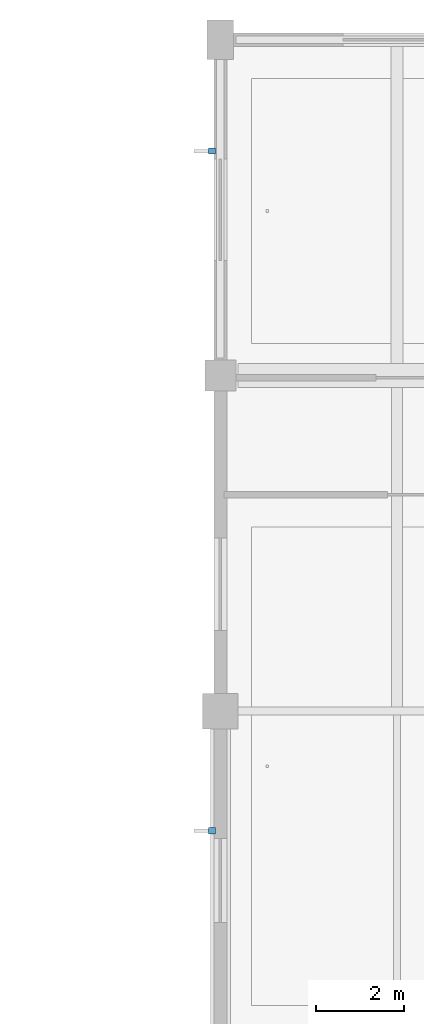
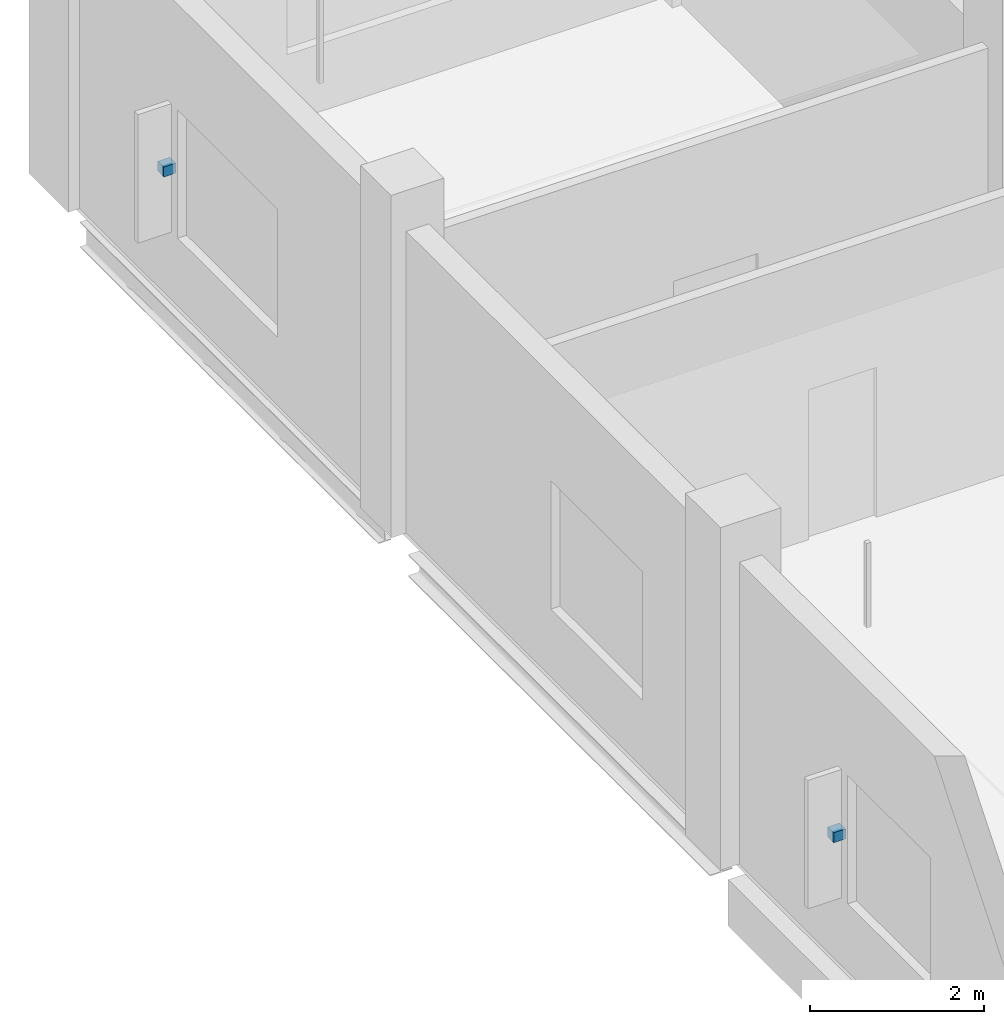
# One storey, part 41 of 46: 2 discrete accessories.
"""IFC4 building model written with IfcOpenShell, lengths in metres."""

from ifc_helpers import new_model, si_unit, direction, frame, origin, origin_2d, place, context, subcontext, project, spatial, rectangle, extrude, material, type_object, element, save


model = new_model("IFC4")

# Units and contexts
model_context = context("Model", 3, precision=1e-05, world=origin(), true_north=direction((0.0, 1.0)))
body_context = subcontext(model_context, "Body", "Model", "MODEL_VIEW")
ifc_project = project(units=[si_unit("LENGTHUNIT", "METRE"), si_unit("AREAUNIT", "SQUARE_METRE"), si_unit("VOLUMEUNIT", "CUBIC_METRE"), si_unit("PLANEANGLEUNIT", "RADIAN"), si_unit("MASSUNIT", "GRAM", prefix="KILO")], contexts=[model_context])

# Site, building, storey
site_placement = place(None, origin())
site = spatial("IfcSite", under=ifc_project, at=site_placement, CompositionType="ELEMENT")
building_placement = place(site_placement, origin())
building = spatial("IfcBuilding", under=site, at=building_placement, Name="Khelvaren Railside Concert Hall", CompositionType="ELEMENT")
storey_placement = place(building_placement, frame((0.0, 0.0, 19.800048828125)))
storey = spatial("IfcBuildingStorey", under=building, at=storey_placement, Name="L04", CompositionType="ELEMENT", Elevation=19.800048828125)

# Discrete accessories
ifc_material = material(Name="Architectural stainless steel Grade 316", Category="steel")
discrete_accessory_type = type_object("IfcDiscreteAccessoryType", Name="BRK87", PredefinedType="BRACKET", material=ifc_material)
for number, where, z_axis, x_axis, name in (
    (1, (135.81005859375, 96.092529296875, 1.77978515625), (0.0, 0.0, 1.0), (0.0, 1.0, 0.0), "Solar Fin Bracket EW-V5-L04-W-91"),
    (2, (135.81005859375, 111.47998046875, 1.77978515625), (0.0, 0.0, 1.0), (0.0, 1.0, 0.0), "Solar Fin Bracket EW-V5-L04-W-106"),
):
    element("IfcDiscreteAccessory", number, at=place(storey_placement, frame(where, z_axis=z_axis, x_axis=x_axis)), inside=storey, type_object=discrete_accessory_type, Name=name, PredefinedType="BRACKET", context=body_context, shape_type="SweptSolid", body=[
        extrude(rectangle(XDim=0.139892578125, YDim=0.159912109375, at=origin_2d()), origin(), (0.0, 0.0, 1.0), 0.139892578125),
    ])

save(model, "model.ifc")
